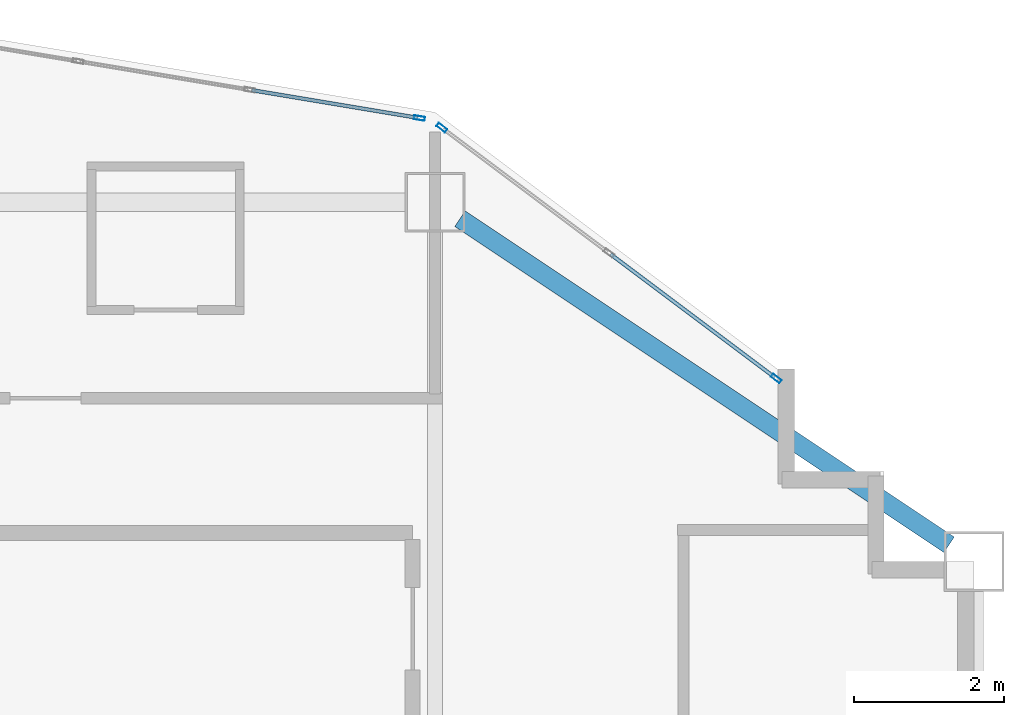
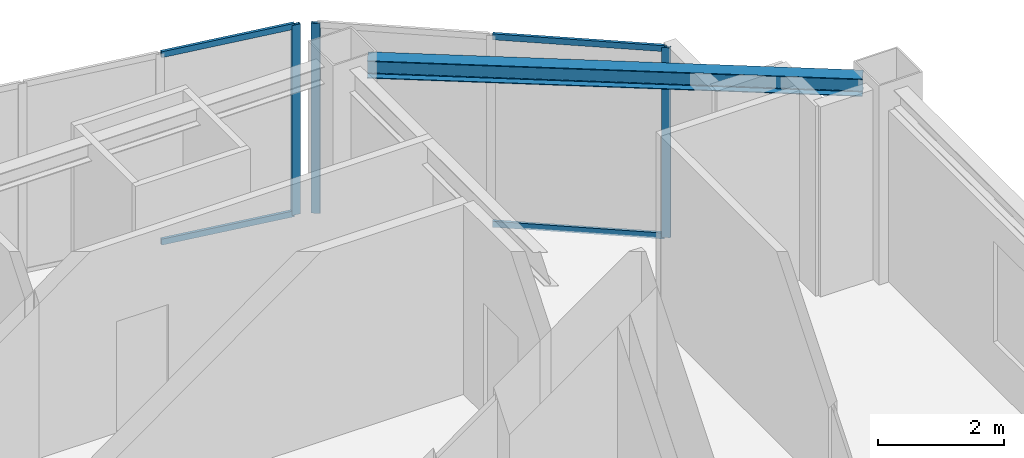
# One storey, part 3 of 9: 7 members, 1 beam, 2 elements without a shape of their own.
"""IFC4 building model written with IfcOpenShell, lengths in metres."""

from ifc_helpers import new_model, si_unit, direction, frame, origin, origin_2d, place, context, subcontext, project, spatial, hollow_rectangle, i_section, extrude, material, layer, layer_set, material_profile, profile_set, type_object, element, aggregate, save


model = new_model("IFC4")

# Units and contexts
model_context = context("Model", 3, precision=1e-05, world=origin(), true_north=direction((0.0, 1.0)))
body_context = subcontext(model_context, "Body", "Model", "MODEL_VIEW")
ifc_project = project(units=[si_unit("LENGTHUNIT", "METRE"), si_unit("AREAUNIT", "SQUARE_METRE"), si_unit("VOLUMEUNIT", "CUBIC_METRE"), si_unit("PLANEANGLEUNIT", "RADIAN"), si_unit("MASSUNIT", "GRAM", prefix="KILO")], contexts=[model_context])

# Site, building, storey
site_placement = place(None, origin())
site = spatial("IfcSite", under=ifc_project, at=site_placement, CompositionType="ELEMENT")
building_placement = place(site_placement, origin())
building = spatial("IfcBuilding", under=site, at=building_placement, Name="Haolan Belvedere Tower", CompositionType="ELEMENT")
storey_placement = place(building_placement, frame((0.0, 0.0, 269.85009765625)))
storey = spatial("IfcBuildingStorey", under=building, at=storey_placement, Name="L68", CompositionType="ELEMENT", Elevation=269.85009765625)

# Beam
ifc_material_1 = material(Name="Steel Q355B", Category="steel")
ifc_material_profile_1 = material_profile(ifc_material_1, i_section(OverallWidth=0.25, OverallDepth=0.340087890625, WebThickness=0.009033203125, FlangeThickness=0.013916015625, FilletRadius=0.02001953125, at=origin_2d()), Name="Steel Q355B")
ifc_profile_set_1 = profile_set([ifc_material_profile_1], Name="Steel Q355B")
beam_type = type_object("IfcBeamType", Name="BM-HM340x250x9x14", PredefinedType="SPANDREL", material=ifc_profile_set_1)
beam_placement = place(storey_placement, frame((45.932861328125, 50.17822265625, 3.5), z_axis=(0.832040729016, -0.55471454394, 0.0), x_axis=(0.55471454394, 0.832040729016, 0.0)))
element("IfcBeam", 1, at=beam_placement, inside=storey, type_object=beam_type, Name="L68 spandrel girder MC-T3-N2-MC-T3-NE", PredefinedType="SPANDREL", context=body_context, shape_type="SweptSolid", body=[
    extrude(i_section(OverallWidth=0.25, OverallDepth=0.340087890625, WebThickness=0.009033203125, FlangeThickness=0.013916015625, FilletRadius=0.02001953125, at=origin_2d()), origin(), (0.0, 0.0, 1.0), 7.853515625),
])

# Curtain wall, members
ifc_material_2 = material(Name="Anodised champagne-silver aluminium 6063-T6 and Low-E glass", Category="aluminium")
ifc_layer = layer(ifc_material_2, 0.14501953125, Name="Anodised champagne-silver aluminium 6063-T6 and Low-E glass")
ifc_layer_set = layer_set([ifc_layer], Name="Anodised champagne-silver aluminium 6063-T6 and Low-E glass")
curtain_wall_type = type_object("IfcCurtainWallType", Name="CW-SYS-05", PredefinedType="NOTDEFINED", material=ifc_layer_set)
curtain_wall_1_placement = place(storey_placement, origin())
curtain_wall_1 = element("IfcCurtainWall", 2, at=curtain_wall_1_placement, inside=storey, type_object=curtain_wall_type, Name="L68 CW-SYS-05 ribbon curtain wall 8.1", PredefinedType="NOTDEFINED")
ifc_material_3 = material(Name="Anodised aluminium 6063-T6", Category="aluminium")
ifc_material_profile_2 = material_profile(ifc_material_3, hollow_rectangle(XDim=0.053955078125, YDim=0.14501953125, WallThickness=0.00390625, at=origin_2d()), Name="Anodised aluminium 6063-T6")
ifc_profile_set_2 = profile_set([ifc_material_profile_2], Name="Anodised aluminium 6063-T6")
member_type_1 = type_object("IfcMemberType", Name="CW-SYS-05-MUL", PredefinedType="MULLION", material=ifc_profile_set_2)
member_1_placement = place(storey_placement, frame((50.156494140625, 48.045166015625, 0.0), z_axis=(0.0, 0.0, 1.0), x_axis=(-0.600002837806, -0.799997871638, 0.0)))
member_1 = element("IfcMember", 3, at=member_1_placement, type_object=member_type_1, Name="CW-05 mullion 1", PredefinedType="MULLION", context=body_context, shape_type="SweptSolid", body=[
    extrude(hollow_rectangle(XDim=0.053955078125, YDim=0.14501953125, WallThickness=0.00390625, at=origin_2d()), origin(), (0.0, 0.0, 1.0), 3.669921875),
])
member_2_placement = place(storey_placement, frame((45.689208984375, 51.395751953125, 0.0), z_axis=(0.0, 0.0, 1.0), x_axis=(-0.600002837806, -0.799997871638, 0.0)))
member_2 = element("IfcMember", 4, at=member_2_placement, type_object=member_type_1, Name="CW-05 mullion 3", PredefinedType="MULLION", context=body_context, shape_type="SweptSolid", body=[
    extrude(hollow_rectangle(XDim=0.053955078125, YDim=0.14501953125, WallThickness=0.00390625, at=origin_2d()), origin(), (0.0, 0.0, 1.0), 3.669921875),
])

# Curtain wall, member
curtain_wall_2_placement = place(storey_placement, origin())
curtain_wall_2 = element("IfcCurtainWall", 5, at=curtain_wall_2_placement, inside=storey, type_object=curtain_wall_type, Name="L68 CW-SYS-05 ribbon curtain wall 9.1", PredefinedType="NOTDEFINED")
member_3_placement = place(storey_placement, frame((45.390869140625, 51.5234375, 0.0), z_axis=(0.0, 0.0, 1.0), x_axis=(-0.164405962825, -0.98639276122, 0.0)))
member_3 = element("IfcMember", 6, at=member_3_placement, type_object=member_type_1, Name="CW-05 mullion 1", PredefinedType="MULLION", context=body_context, shape_type="SweptSolid", body=[
    extrude(hollow_rectangle(XDim=0.053955078125, YDim=0.14501953125, WallThickness=0.00390625, at=origin_2d()), origin(), (0.0, 0.0, 1.0), 3.669921875),
])

# Member
ifc_material_profile_3 = material_profile(ifc_material_3, hollow_rectangle(XDim=0.050048828125, YDim=0.114990234375, WallThickness=0.00390625, at=origin_2d()), Name="Anodised aluminium 6063-T6")
ifc_profile_set_3 = profile_set([ifc_material_profile_3], Name="Anodised aluminium 6063-T6")
member_type_2 = type_object("IfcMemberType", Name="CW-SYS-05-TRN", PredefinedType="USERDEFINED", material=ifc_profile_set_3)
member_4_placement = place(storey_placement, frame((50.134765625, 48.061279296875, 0.02490234375), z_axis=(-0.799957200433, 0.60005706185, 0.0), x_axis=(-0.60005706185, -0.799957200433, 0.0)))
member_4 = element("IfcMember", 7, at=member_4_placement, type_object=member_type_2, Name="CW-05 transom 1.1", ObjectType="TRANSOM", PredefinedType="USERDEFINED", context=body_context, shape_type="SweptSolid", body=[
    extrude(hollow_rectangle(XDim=0.050048828125, YDim=0.114990234375, WallThickness=0.00390625, at=origin_2d()), origin(), (0.0, 0.0, 1.0), 2.73828125),
])

member_5_placement = place(storey_placement, frame((50.134765625, 48.061279296875, 3.64501953125), z_axis=(-0.799957200433, 0.60005706185, 0.0), x_axis=(-0.60005706185, -0.799957200433, 0.0)))
member_5 = element("IfcMember", 8, at=member_5_placement, type_object=member_type_2, Name="CW-05 transom 1.2", ObjectType="TRANSOM", PredefinedType="USERDEFINED", context=body_context, shape_type="SweptSolid", body=[
    extrude(hollow_rectangle(XDim=0.050048828125, YDim=0.114990234375, WallThickness=0.00390625, at=origin_2d()), origin(), (0.0, 0.0, 1.0), 2.73828125),
])

aggregate(curtain_wall_1, [member_1, member_2, member_4, member_5])

member_6_placement = place(storey_placement, frame((45.364013671875, 51.52783203125, 0.02490234375), z_axis=(-0.986390982779, 0.164416632651, 0.0), x_axis=(-0.164416632651, -0.986390982779, 0.0)))
member_6 = element("IfcMember", 9, at=member_6_placement, type_object=member_type_2, Name="CW-05 transom 1.1", ObjectType="TRANSOM", PredefinedType="USERDEFINED", context=body_context, shape_type="SweptSolid", body=[
    extrude(hollow_rectangle(XDim=0.050048828125, YDim=0.114990234375, WallThickness=0.00390625, at=origin_2d()), origin(), (0.0, 0.0, 1.0), 2.24365234375),
])

member_7_placement = place(storey_placement, frame((45.364013671875, 51.52783203125, 3.64501953125), z_axis=(-0.986390982779, 0.164416632651, 0.0), x_axis=(-0.164416632651, -0.986390982779, 0.0)))
member_7 = element("IfcMember", 10, at=member_7_placement, type_object=member_type_2, Name="CW-05 transom 1.2", ObjectType="TRANSOM", PredefinedType="USERDEFINED", context=body_context, shape_type="SweptSolid", body=[
    extrude(hollow_rectangle(XDim=0.050048828125, YDim=0.114990234375, WallThickness=0.00390625, at=origin_2d()), origin(), (0.0, 0.0, 1.0), 2.24365234375),
])

aggregate(curtain_wall_2, [member_3, member_6, member_7])

save(model, "model.ifc")
